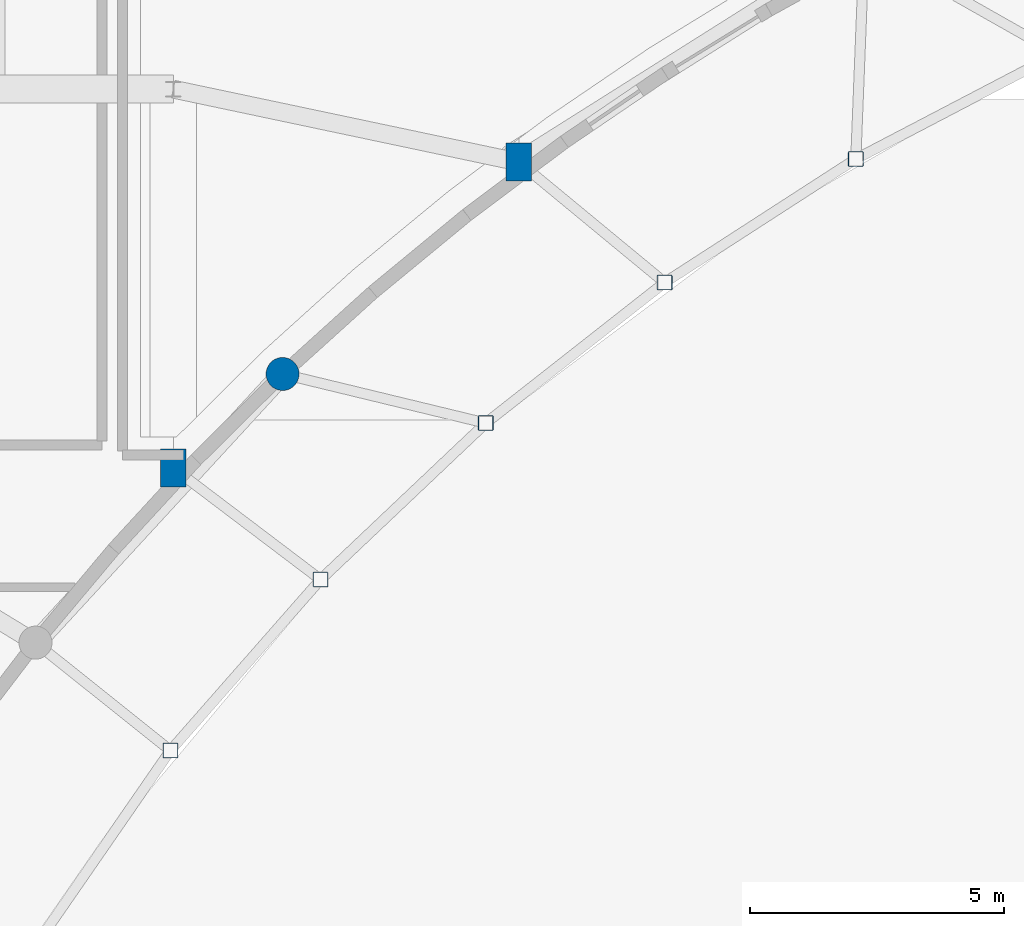
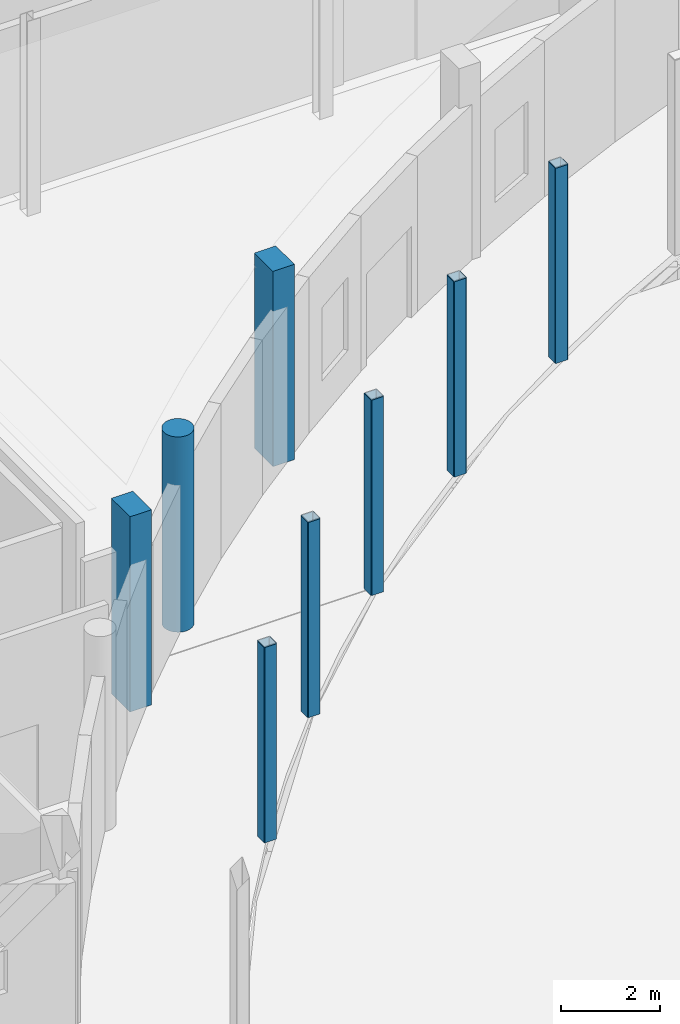
# One storey, part 9 of 97: 8 columns.
"""IFC4 building model written with IfcOpenShell, lengths in metres."""

from ifc_helpers import new_model, si_unit, direction, frame, origin, origin_2d, place, context, subcontext, project, spatial, rectangle, hollow_rectangle, circle, extrude, material, material_profile, profile_set, type_object, element, save


model = new_model("IFC4")

# Units and contexts
model_context = context("Model", 3, precision=1e-05, world=origin(), true_north=direction((0.0, 1.0)))
body_context = subcontext(model_context, "Body", "Model", "MODEL_VIEW")
ifc_project = project(units=[si_unit("LENGTHUNIT", "METRE"), si_unit("AREAUNIT", "SQUARE_METRE"), si_unit("VOLUMEUNIT", "CUBIC_METRE"), si_unit("PLANEANGLEUNIT", "RADIAN"), si_unit("MASSUNIT", "GRAM", prefix="KILO")], contexts=[model_context])

# Site, building, storey
site_placement = place(None, origin())
site = spatial("IfcSite", under=ifc_project, at=site_placement, CompositionType="ELEMENT")
building_placement = place(site_placement, origin())
building = spatial("IfcBuilding", under=site, at=building_placement, Name="Kisaragi Civic Commons", CompositionType="ELEMENT")
storey_placement = place(building_placement, origin())
storey = spatial("IfcBuildingStorey", under=building, at=storey_placement, Name="L00", CompositionType="ELEMENT", Elevation=0.0)

# Columns
ifc_material_1 = material(Name="Concrete Fc30", Category="concrete")
ifc_material_profile_1 = material_profile(ifc_material_1, rectangle(XDim=0.5, YDim=0.75, at=origin_2d()), Name="RC-500x750", Category="concrete")
ifc_profile_set_1 = profile_set([ifc_material_profile_1], Name="Concrete Fc30")
column_type_1 = type_object("IfcColumnType", Name="C-10", PredefinedType="COLUMN", material=ifc_profile_set_1)
for number, where, z_axis, x_axis, name in (
    (1, (34.0, 88.544189453125, 0.0), (0.0, 0.0, 1.0), (1.0, 0.0, 0.0), "L00 column C-10 (34.0,88.5)"),
    (2, (40.800048828125, 94.565185546875, 0.0), (0.0, 0.0, 1.0), (1.0, 0.0, 0.0), "L00 column C-10 (40.8,94.6)"),
):
    element("IfcColumn", number, at=place(storey_placement, frame(where, z_axis=z_axis, x_axis=x_axis)), inside=storey, type_object=column_type_1, Name=name, PredefinedType="COLUMN", context=body_context, shape_type="SweptSolid", body=[
        extrude(rectangle(XDim=0.5, YDim=0.75, at=origin_2d()), origin(), (0.0, 0.0, 1.0), 4.800048828125),
    ])
ifc_material_profile_2 = material_profile(ifc_material_1, circle(Radius=0.324951171875, at=origin_2d()), Name="RC-D650", Category="concrete")
ifc_profile_set_2 = profile_set([ifc_material_profile_2], Name="Concrete Fc30")
column_type_2 = type_object("IfcColumnType", Name="C-12", PredefinedType="COLUMN", material=ifc_profile_set_2)
column_placement = place(storey_placement, frame((36.151123046875, 90.394775390625, 0.0), z_axis=(0.0, 0.0, 1.0), x_axis=(1.0, 0.0, 0.0)))
element("IfcColumn", 3, at=column_placement, inside=storey, type_object=column_type_2, Name="L00 column C-12 (36.2,90.4)", PredefinedType="COLUMN", context=body_context, shape_type="SweptSolid", body=[
    extrude(circle(Radius=0.324951171875, at=origin_2d()), origin(), (0.0, 0.0, 1.0), 4.800048828125),
])
ifc_material_2 = material(Name="Steel BCR295", Category="steel")
ifc_material_profile_3 = material_profile(ifc_material_2, hollow_rectangle(XDim=0.300048828125, YDim=0.300048828125, WallThickness=0.012939453125, InnerFilletRadius=0.012939453125, OuterFilletRadius=0.02587890625, at=origin_2d()), Name="BCR-300x300x13", Category="steel")
ifc_profile_set_3 = profile_set([ifc_material_profile_3], Name="Steel BCR295")
column_type_3 = type_object("IfcColumnType", Name="C-15", PredefinedType="COLUMN", material=ifc_profile_set_3)
for number, where, z_axis, x_axis, name in (
    (4, (33.943603515625, 82.98388671875, 0.0), (0.0, 0.0, 1.0), (1.0, 0.0, 0.0), "L00 column C-15 (33.9,83.0)"),
    (5, (36.898193359375, 86.34912109375, 0.0), (0.0, 0.0, 1.0), (1.0, 0.0, 0.0), "L00 column C-15 (36.9,86.3)"),
    (6, (40.14990234375, 89.427734375, 0.0), (0.0, 0.0, 1.0), (1.0, 0.0, 0.0), "L00 column C-15 (40.1,89.4)"),
    (7, (43.67138671875, 92.194091796875, 0.0), (0.0, 0.0, 1.0), (1.0, 0.0, 0.0), "L00 column C-15 (43.7,92.2)"),
    (8, (47.4326171875, 94.62451171875, 0.0), (0.0, 0.0, 1.0), (1.0, 0.0, 0.0), "L00 column C-15 (47.4,94.6)"),
):
    element("IfcColumn", number, at=place(storey_placement, frame(where, z_axis=z_axis, x_axis=x_axis)), inside=storey, type_object=column_type_3, Name=name, PredefinedType="COLUMN", context=body_context, shape_type="SweptSolid", body=[
        extrude(hollow_rectangle(XDim=0.300048828125, YDim=0.300048828125, WallThickness=0.012939453125, InnerFilletRadius=0.012939453125, OuterFilletRadius=0.02587890625, at=origin_2d()), origin(), (0.0, 0.0, 1.0), 4.800048828125),
    ])

save(model, "model.ifc")
